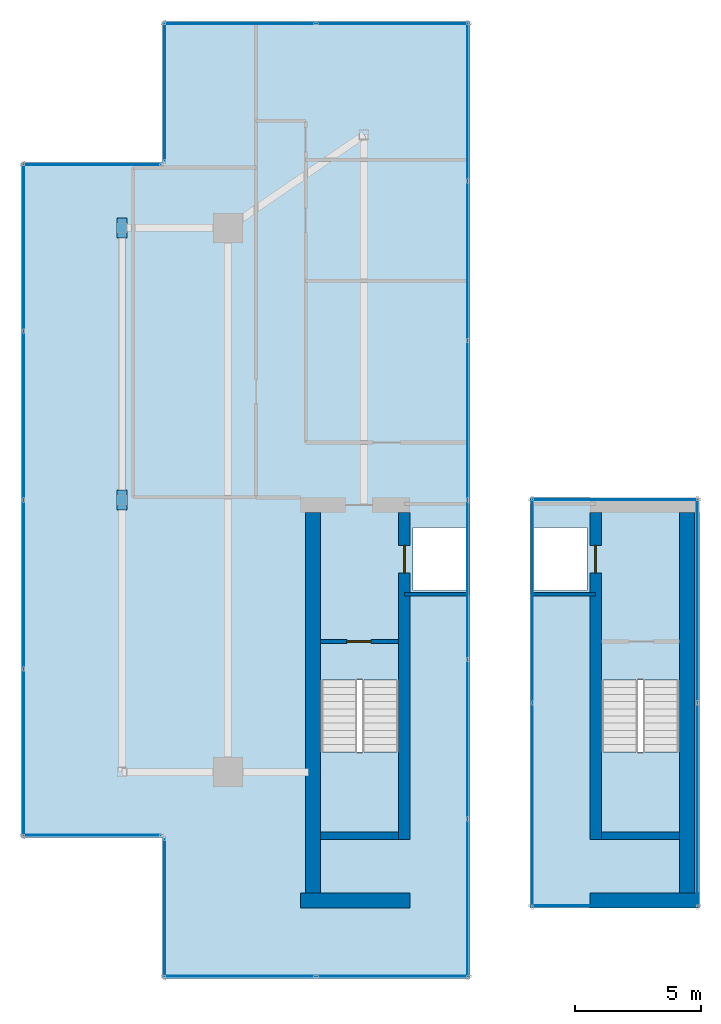
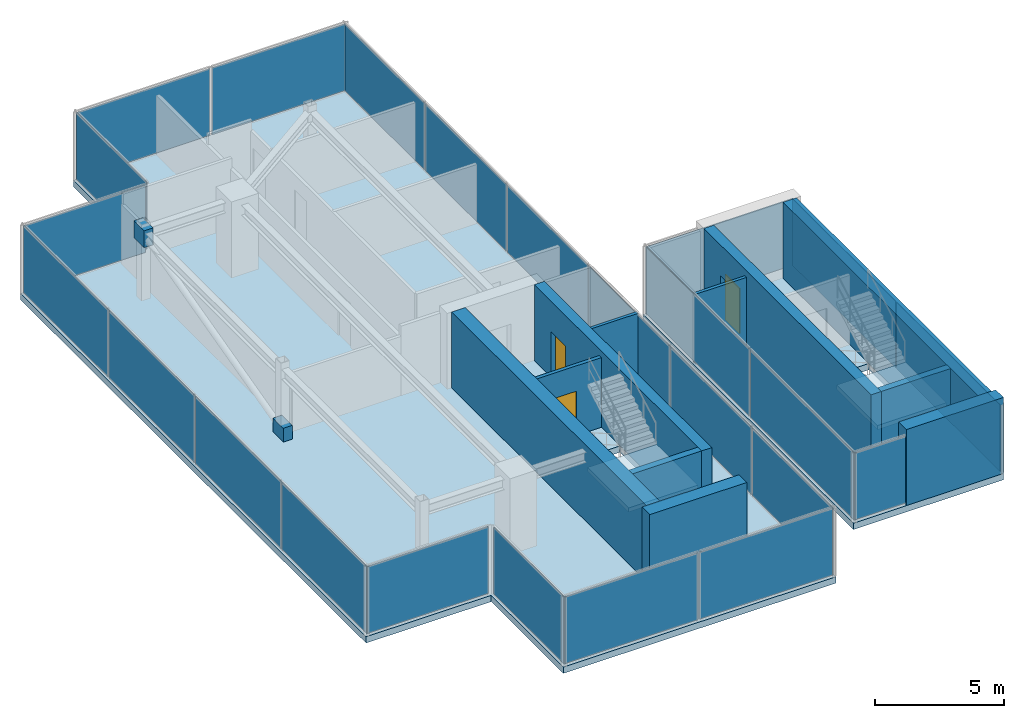
# One storey, part 14 of 16: 26 plates, 11 walls, 4 slabs, 3 doors, 3 openings, 14 elements without a shape of their own.
"""IFC4 building model written with IfcOpenShell, lengths in metres."""

from ifc_helpers import new_model, si_unit, direction, frame, frame_2d, origin, origin_2d, place, context, subcontext, project, spatial, polyline, rectangle, outline, extrude, source, transform, mapped, material, layer, layer_set, type_object, type_shapes, element, fill, aggregate, save


model = new_model("IFC4")

# Units and contexts
model_context = context("Model", 3, precision=1e-05, world=origin(), true_north=direction((0.0, 1.0)))
body_context = subcontext(model_context, "Body", "Model", "MODEL_VIEW")
ifc_project = project(units=[si_unit("LENGTHUNIT", "METRE"), si_unit("AREAUNIT", "SQUARE_METRE"), si_unit("VOLUMEUNIT", "CUBIC_METRE"), si_unit("PLANEANGLEUNIT", "RADIAN"), si_unit("MASSUNIT", "GRAM", prefix="KILO")], contexts=[model_context])

# Site, building, storey
site_placement = place(None, origin())
site = spatial("IfcSite", under=ifc_project, at=site_placement, CompositionType="ELEMENT")
building_placement = place(site_placement, origin())
building = spatial("IfcBuilding", under=site, at=building_placement, Name="Krantzveldt Concourse Tower", CompositionType="ELEMENT")
storey_placement = place(building_placement, frame((0.0, 0.0, 381.85009765625)))
storey = spatial("IfcBuildingStorey", under=building, at=storey_placement, Name="L94", CompositionType="ELEMENT", Elevation=381.85009765625)

# Stair, slab
ifc_material_1 = material(Name="Precast concrete C40/50", Category="concrete")
stair_type = type_object("IfcStairType", Name="STR-CORE-DOGLEG", PredefinedType="HALF_TURN_STAIR", material=ifc_material_1)
stair_1_placement = place(storey_placement, origin())
stair_1 = element("IfcStair", 1, at=stair_1_placement, inside=storey, type_object=stair_type, Name="L94 Protected Escape Stair ST-1", PredefinedType="HALF_TURN_STAIR")
ifc_layer_1 = layer(ifc_material_1, 0.199951171875, Name="Precast concrete C40/50", Category="concrete")
ifc_layer_set_1 = layer_set([ifc_layer_1], Name="Precast concrete C40/50 (SL-LANDING-200)")
slab_type_1 = type_object("IfcSlabType", Name="SL-LANDING-200", PredefinedType="LANDING", material=ifc_layer_set_1)
slab_1_placement = place(storey_placement, frame((0.0, 0.0, 1.599853515625)))
slab_1 = element("IfcSlab", 2, at=slab_1_placement, type_object=slab_type_1, Name="ST-1 landing 1", PredefinedType="LANDING", context=body_context, shape_type="SweptSolid", body=[
    extrude(outline(polyline([(28.8798828125, 16.699951171875), (28.8798828125, 13.52001953125), (31.97998046875, 13.52001953125), (31.97998046875, 16.699951171875), (28.8798828125, 16.699951171875)])), origin(), (0.0, 0.0, 1.0), 0.199951171875),
])
aggregate(stair_1, [slab_1])

stair_2_placement = place(storey_placement, origin())
stair_2 = element("IfcStair", 3, at=stair_2_placement, inside=storey, type_object=stair_type, Name="L94 Protected Escape Stair ST-2", PredefinedType="HALF_TURN_STAIR")
slab_2_placement = place(storey_placement, frame((0.0, 0.0, 1.599853515625)))
slab_2 = element("IfcSlab", 4, at=slab_2_placement, type_object=slab_type_1, Name="ST-2 landing 1", PredefinedType="LANDING", context=body_context, shape_type="SweptSolid", body=[
    extrude(outline(polyline([(40.02001953125, 16.699951171875), (40.02001953125, 13.52001953125), (43.1201171875, 13.52001953125), (43.1201171875, 16.699951171875), (40.02001953125, 16.699951171875)])), origin(), (0.0, 0.0, 1.0), 0.199951171875),
])
aggregate(stair_2, [slab_2])

# Slabs
ifc_material_2 = material(Name="Concrete C40/50", Category="concrete")
ifc_layer_2 = layer(ifc_material_2, 0.300048828125, Name="Concrete C40/50", Category="concrete")
ifc_layer_set_2 = layer_set([ifc_layer_2], Name="Concrete C40/50 (SL-SL-CRN300)")
slab_type_2 = type_object("IfcSlabType", Name="SL-SL-CRN300", PredefinedType="FLOOR", material=ifc_layer_set_2)
slab_3_placement = place(storey_placement, frame((0.0, 0.0, -0.300048828125)))
element("IfcSlab", 5, at=slab_3_placement, inside=storey, type_object=slab_type_2, Name="SL-L94-WEST", PredefinedType="FLOOR", context=body_context, shape_type="SweptSolid", body=[
    extrude(outline(polyline([(22.60009765625, 7.699951171875), (34.800048828125, 7.699951171875), (34.800048828125, 45.699951171875), (22.60009765625, 45.699951171875), (22.60009765625, 40.10009765625), (17.0, 40.10009765625), (17.0, 13.300048828125), (22.60009765625, 13.300048828125), (22.60009765625, 7.699951171875)]), holes=[polyline([(28.8798828125, 19.547607421875), (28.8798828125, 13.52001953125), (31.97998046875, 13.52001953125), (31.97998046875, 19.547607421875), (28.8798828125, 19.547607421875)]), polyline([(32.550048828125, 23.10009765625), (34.64990234375, 23.10009765625), (34.64990234375, 25.60009765625), (32.550048828125, 25.60009765625), (32.550048828125, 23.10009765625)])]), origin(), (0.0, 0.0, 1.0), 0.300048828125),
])
slab_4_placement = place(storey_placement, frame((0.0, 0.0, -0.300048828125)))
element("IfcSlab", 6, at=slab_4_placement, inside=storey, type_object=slab_type_2, Name="SL-L94-EAST", PredefinedType="FLOOR", context=body_context, shape_type="SweptSolid", body=[
    extrude(outline(polyline([(37.199951171875, 10.5), (43.919921875, 10.5), (43.919921875, 26.800048828125), (37.199951171875, 26.800048828125), (37.199951171875, 10.5)]), holes=[polyline([(40.02001953125, 19.547607421875), (40.02001953125, 13.52001953125), (43.1201171875, 13.52001953125), (43.1201171875, 19.547607421875), (40.02001953125, 19.547607421875)]), polyline([(37.35009765625, 23.10009765625), (39.449951171875, 23.10009765625), (39.449951171875, 25.60009765625), (37.35009765625, 25.60009765625), (37.35009765625, 23.10009765625)])]), origin(), (0.0, 0.0, 1.0), 0.300048828125),
])

# Plates
ifc_material_3 = material(Name="Steel S355J2", Category="steel")
ifc_layer_3 = layer(ifc_material_3, 0.0400390625, Name="Steel S355J2", Category="steel")
ifc_layer_set_3 = layer_set([ifc_layer_3], Name="Steel S355J2 (PL-GUSSET-40)")
plate_type_1 = type_object("IfcPlateType", Name="PL-GUSSET-40", PredefinedType="USERDEFINED", material=ifc_layer_set_3)
shared_shape_1 = source(origin(), body_context, "Body", "SweptSolid", [
    extrude(rectangle(XDim=0.39990234375, YDim=0.800048828125, at=origin_2d()), origin(), (0.0, 0.0, 1.0), 0.800048828125),
])
type_shapes(plate_type_1, [shared_shape_1])
for number, where, z_axis, x_axis, name in (
    (7, (21.0, 26.699951171875, -0.14990234375), (0.0, 0.0, 1.0), (1.0, 0.0, 0.0), "CBR-L94-WEST-GP1"),
    (8, (21.0, 37.5, 2.64990234375), (0.0, 0.0, 1.0), (1.0, 0.0, 0.0), "CBR-L94-WEST-GP2"),
):
    element("IfcPlate", number, at=place(storey_placement, frame(where, z_axis=z_axis, x_axis=x_axis)), inside=storey, type_object=plate_type_1, Name=name, ObjectType="GUSSET PLATE", PredefinedType="USERDEFINED", context=body_context, shape_type="MappedRepresentation", body=[
        mapped(shared_shape_1, transform((0.0, 0.0, 0.0), x_axis=(1.0, 0.0, 0.0), y_axis=(0.0, 1.0, 0.0), z_axis=(0.0, 0.0, 1.0), scale=1.0)),
    ])

# Curtain wall, plates
ifc_material_4 = material(Name="Anodised aluminium 6063-T6", Category="aluminium")
curtain_wall_type = type_object("IfcCurtainWallType", Name="CW7", PredefinedType="USERDEFINED", material=ifc_material_4)
curtain_wall_1_placement = place(storey_placement, origin())
curtain_wall_1 = element("IfcCurtainWall", 9, at=curtain_wall_1_placement, inside=storey, type_object=curtain_wall_type, Name="CW-L94-WEST-00", ObjectType="UNITISED CURTAIN WALL", PredefinedType="USERDEFINED")
ifc_material_5 = material(Name="Bronze-tinted laminated low-E IGU glass", Category="glass")
ifc_layer_4 = layer(ifc_material_5, 0.031982421875, Name="Bronze-tinted laminated low-E IGU glass", Category="glass")
ifc_layer_set_4 = layer_set([ifc_layer_4], Name="Bronze-tinted laminated low-E IGU glass (CW-GLZ-32)")
plate_type_2 = type_object("IfcPlateType", Name="CW-GLZ-32", PredefinedType="CURTAIN_PANEL", material=ifc_layer_set_4)
shared_shape_2 = source(origin(), body_context, "Body", "SweptSolid", [
    extrude(rectangle(XDim=5.9951171875, YDim=0.031982421875, at=origin_2d()), origin(), (0.0, 0.0, 1.0), 3.159912109375),
])
plate_1_placement = place(storey_placement, frame((25.66748046875, 7.7900390625, 0.06982421875), z_axis=(0.0, 0.0, 1.0), x_axis=(1.0, 0.0, 0.0)))
plate_1 = element("IfcPlate", 10, at=plate_1_placement, type_object=plate_type_2, Name="CW-CRN panel 1.1", PredefinedType="CURTAIN_PANEL", context=body_context, shape_type="MappedRepresentation", body=[
    mapped(shared_shape_2, transform((0.0, 0.0, 0.0), x_axis=(1.0, 0.0, 0.0), y_axis=(0.0, 1.0, 0.0), z_axis=(0.0, 0.0, 1.0), scale=1.0)),
])
plate_2_placement = place(storey_placement, frame((31.732421875, 7.7900390625, 0.06982421875), z_axis=(0.0, 0.0, 1.0), x_axis=(1.0, 0.0, 0.0)))
plate_2 = element("IfcPlate", 11, at=plate_2_placement, type_object=plate_type_2, Name="CW-CRN panel 2.1", PredefinedType="CURTAIN_PANEL", context=body_context, shape_type="MappedRepresentation", body=[
    mapped(shared_shape_2, transform((0.0, 0.0, 0.0), x_axis=(1.0, 0.0, 0.0), y_axis=(0.0, 1.0, 0.0), z_axis=(0.0, 0.0, 1.0), scale=1.0)),
])
aggregate(curtain_wall_1, [plate_1, plate_2])

curtain_wall_2_placement = place(storey_placement, origin())
curtain_wall_2 = element("IfcCurtainWall", 12, at=curtain_wall_2_placement, inside=storey, type_object=curtain_wall_type, Name="CW-L94-WEST-02", ObjectType="UNITISED CURTAIN WALL", PredefinedType="USERDEFINED")
plate_3_placement = place(storey_placement, frame((31.732421875, 45.610107421875, 0.06982421875), z_axis=(0.0, 0.0, 1.0), x_axis=(-1.0, 0.0, 0.0)))
plate_3 = element("IfcPlate", 13, at=plate_3_placement, type_object=plate_type_2, Name="CW-CRN panel 1.1", PredefinedType="CURTAIN_PANEL", context=body_context, shape_type="MappedRepresentation", body=[
    mapped(shared_shape_2, transform((0.0, 0.0, 0.0), x_axis=(1.0, 0.0, 0.0), y_axis=(0.0, 1.0, 0.0), z_axis=(0.0, 0.0, 1.0), scale=1.0)),
])
plate_4_placement = place(storey_placement, frame((25.66748046875, 45.610107421875, 0.06982421875), z_axis=(0.0, 0.0, 1.0), x_axis=(-1.0, 0.0, 0.0)))
plate_4 = element("IfcPlate", 14, at=plate_4_placement, type_object=plate_type_2, Name="CW-CRN panel 2.1", PredefinedType="CURTAIN_PANEL", context=body_context, shape_type="MappedRepresentation", body=[
    mapped(shared_shape_2, transform((0.0, 0.0, 0.0), x_axis=(1.0, 0.0, 0.0), y_axis=(0.0, 1.0, 0.0), z_axis=(0.0, 0.0, 1.0), scale=1.0)),
])
aggregate(curtain_wall_2, [plate_3, plate_4])

curtain_wall_3_placement = place(storey_placement, origin())
curtain_wall_3 = element("IfcCurtainWall", 15, at=curtain_wall_3_placement, inside=storey, type_object=curtain_wall_type, Name="CW-L94-WEST-01", ObjectType="UNITISED CURTAIN WALL", PredefinedType="USERDEFINED")
shared_shape_3 = source(origin(), body_context, "Body", "SweptSolid", [
    extrude(rectangle(XDim=6.228271484375, YDim=0.031982421875, at=origin_2d()), origin(), (0.0, 0.0, 1.0), 3.159912109375),
])
plate_5_placement = place(storey_placement, frame((34.7099609375, 10.88427734375, 0.06982421875), z_axis=(0.0, 0.0, 1.0), x_axis=(0.0, 1.0, 0.0)))
plate_5 = element("IfcPlate", 16, at=plate_5_placement, type_object=plate_type_2, Name="CW-CRN panel 1.1", PredefinedType="CURTAIN_PANEL", context=body_context, shape_type="MappedRepresentation", body=[
    mapped(shared_shape_3, transform((0.0, 0.0, 0.0), x_axis=(1.0, 0.0, 0.0), y_axis=(0.0, 1.0, 0.0), z_axis=(0.0, 0.0, 1.0), scale=1.0)),
])
plate_6_placement = place(storey_placement, frame((34.7099609375, 42.515869140625, 0.06982421875), z_axis=(0.0, 0.0, 1.0), x_axis=(0.0, 1.0, 0.0)))
plate_6 = element("IfcPlate", 17, at=plate_6_placement, type_object=plate_type_2, Name="CW-CRN panel 6.1", PredefinedType="CURTAIN_PANEL", context=body_context, shape_type="MappedRepresentation", body=[
    mapped(shared_shape_3, transform((0.0, 0.0, 0.0), x_axis=(1.0, 0.0, 0.0), y_axis=(0.0, 1.0, 0.0), z_axis=(0.0, 0.0, 1.0), scale=1.0)),
])
shared_shape_4 = source(origin(), body_context, "Body", "SweptSolid", [
    extrude(rectangle(XDim=6.263427734375, YDim=0.031982421875, at=origin_2d()), origin(), (0.0, 0.0, 1.0), 3.159912109375),
])
plate_7_placement = place(storey_placement, frame((34.7099609375, 17.199951171875, 0.06982421875), z_axis=(0.0, 0.0, 1.0), x_axis=(0.0, 1.0, 0.0)))
plate_7 = element("IfcPlate", 18, at=plate_7_placement, type_object=plate_type_2, Name="CW-CRN panel 2.1", PredefinedType="CURTAIN_PANEL", context=body_context, shape_type="MappedRepresentation", body=[
    mapped(shared_shape_4, transform((0.0, 0.0, 0.0), x_axis=(1.0, 0.0, 0.0), y_axis=(0.0, 1.0, 0.0), z_axis=(0.0, 0.0, 1.0), scale=1.0)),
])
plate_8_placement = place(storey_placement, frame((34.7099609375, 23.533447265625, 0.06982421875), z_axis=(0.0, 0.0, 1.0), x_axis=(0.0, 1.0, 0.0)))
plate_8 = element("IfcPlate", 19, at=plate_8_placement, type_object=plate_type_2, Name="CW-CRN panel 3.1", PredefinedType="CURTAIN_PANEL", context=body_context, shape_type="MappedRepresentation", body=[
    mapped(shared_shape_4, transform((0.0, 0.0, 0.0), x_axis=(1.0, 0.0, 0.0), y_axis=(0.0, 1.0, 0.0), z_axis=(0.0, 0.0, 1.0), scale=1.0)),
])
plate_9_placement = place(storey_placement, frame((34.7099609375, 29.86669921875, 0.06982421875), z_axis=(0.0, 0.0, 1.0), x_axis=(0.0, 1.0, 0.0)))
plate_9 = element("IfcPlate", 20, at=plate_9_placement, type_object=plate_type_2, Name="CW-CRN panel 4.1", PredefinedType="CURTAIN_PANEL", context=body_context, shape_type="MappedRepresentation", body=[
    mapped(shared_shape_4, transform((0.0, 0.0, 0.0), x_axis=(1.0, 0.0, 0.0), y_axis=(0.0, 1.0, 0.0), z_axis=(0.0, 0.0, 1.0), scale=1.0)),
])
plate_10_placement = place(storey_placement, frame((34.7099609375, 36.199951171875, 0.06982421875), z_axis=(0.0, 0.0, 1.0), x_axis=(0.0, 1.0, 0.0)))
plate_10 = element("IfcPlate", 21, at=plate_10_placement, type_object=plate_type_2, Name="CW-CRN panel 5.1", PredefinedType="CURTAIN_PANEL", context=body_context, shape_type="MappedRepresentation", body=[
    mapped(shared_shape_4, transform((0.0, 0.0, 0.0), x_axis=(1.0, 0.0, 0.0), y_axis=(0.0, 1.0, 0.0), z_axis=(0.0, 0.0, 1.0), scale=1.0)),
])
aggregate(curtain_wall_3, [plate_5, plate_7, plate_8, plate_9, plate_10, plate_6])

# Curtain wall, plate
curtain_wall_4_placement = place(storey_placement, origin())
curtain_wall_4 = element("IfcCurtainWall", 22, at=curtain_wall_4_placement, inside=storey, type_object=curtain_wall_type, Name="CW-L94-WEST-03", ObjectType="UNITISED CURTAIN WALL", PredefinedType="USERDEFINED")
shared_shape_5 = source(origin(), body_context, "Body", "SweptSolid", [
    extrude(rectangle(XDim=5.4599609375, YDim=0.031982421875, at=origin_2d()), origin(), (0.0, 0.0, 1.0), 3.159912109375),
])
plate_11_placement = place(storey_placement, frame((22.68994140625, 42.89990234375, 0.06982421875), z_axis=(0.0, 0.0, 1.0), x_axis=(0.0, -1.0, 0.0)))
plate_11 = element("IfcPlate", 23, at=plate_11_placement, type_object=plate_type_2, Name="CW-CRN panel 1.1", PredefinedType="CURTAIN_PANEL", context=body_context, shape_type="MappedRepresentation", body=[
    mapped(shared_shape_5, transform((0.0, 0.0, 0.0), x_axis=(1.0, 0.0, 0.0), y_axis=(0.0, 1.0, 0.0), z_axis=(0.0, 0.0, 1.0), scale=1.0)),
])
aggregate(curtain_wall_4, [plate_11])

curtain_wall_5_placement = place(storey_placement, origin())
curtain_wall_5 = element("IfcCurtainWall", 24, at=curtain_wall_5_placement, inside=storey, type_object=curtain_wall_type, Name="CW-L94-WEST-04", ObjectType="UNITISED CURTAIN WALL", PredefinedType="USERDEFINED")
plate_12_placement = place(storey_placement, frame((19.800048828125, 40.010009765625, 0.06982421875), z_axis=(0.0, 0.0, 1.0), x_axis=(-1.0, 0.0, 0.0)))
plate_12 = element("IfcPlate", 25, at=plate_12_placement, type_object=plate_type_2, Name="CW-CRN panel 1.1", PredefinedType="CURTAIN_PANEL", context=body_context, shape_type="MappedRepresentation", body=[
    mapped(shared_shape_5, transform((0.0, 0.0, 0.0), x_axis=(1.0, 0.0, 0.0), y_axis=(0.0, 1.0, 0.0), z_axis=(0.0, 0.0, 1.0), scale=1.0)),
])
aggregate(curtain_wall_5, [plate_12])

curtain_wall_6_placement = place(storey_placement, origin())
curtain_wall_6 = element("IfcCurtainWall", 26, at=curtain_wall_6_placement, inside=storey, type_object=curtain_wall_type, Name="CW-L94-WEST-06", ObjectType="UNITISED CURTAIN WALL", PredefinedType="USERDEFINED")
plate_13_placement = place(storey_placement, frame((19.800048828125, 13.389892578125, 0.06982421875), z_axis=(0.0, 0.0, 1.0), x_axis=(1.0, 0.0, 0.0)))
plate_13 = element("IfcPlate", 27, at=plate_13_placement, type_object=plate_type_2, Name="CW-CRN panel 1.1", PredefinedType="CURTAIN_PANEL", context=body_context, shape_type="MappedRepresentation", body=[
    mapped(shared_shape_5, transform((0.0, 0.0, 0.0), x_axis=(1.0, 0.0, 0.0), y_axis=(0.0, 1.0, 0.0), z_axis=(0.0, 0.0, 1.0), scale=1.0)),
])
aggregate(curtain_wall_6, [plate_13])

curtain_wall_7_placement = place(storey_placement, origin())
curtain_wall_7 = element("IfcCurtainWall", 28, at=curtain_wall_7_placement, inside=storey, type_object=curtain_wall_type, Name="CW-L94-WEST-07", ObjectType="UNITISED CURTAIN WALL", PredefinedType="USERDEFINED")
plate_14_placement = place(storey_placement, frame((22.68994140625, 10.5, 0.06982421875), z_axis=(0.0, 0.0, 1.0), x_axis=(0.0, -1.0, 0.0)))
plate_14 = element("IfcPlate", 29, at=plate_14_placement, type_object=plate_type_2, Name="CW-CRN panel 1.1", PredefinedType="CURTAIN_PANEL", context=body_context, shape_type="MappedRepresentation", body=[
    mapped(shared_shape_5, transform((0.0, 0.0, 0.0), x_axis=(1.0, 0.0, 0.0), y_axis=(0.0, 1.0, 0.0), z_axis=(0.0, 0.0, 1.0), scale=1.0)),
])
aggregate(curtain_wall_7, [plate_14])

# Curtain wall, plates
curtain_wall_8_placement = place(storey_placement, origin())
curtain_wall_8 = element("IfcCurtainWall", 30, at=curtain_wall_8_placement, inside=storey, type_object=curtain_wall_type, Name="CW-L94-WEST-05", ObjectType="UNITISED CURTAIN WALL", PredefinedType="USERDEFINED")
shared_shape_6 = source(origin(), body_context, "Body", "SweptSolid", [
    extrude(rectangle(XDim=6.594970703125, YDim=0.031982421875, at=origin_2d()), origin(), (0.0, 0.0, 1.0), 3.159912109375),
])
plate_15_placement = place(storey_placement, frame((17.090087890625, 36.732421875, 0.06982421875), z_axis=(0.0, 0.0, 1.0), x_axis=(0.0, -1.0, 0.0)))
plate_15 = element("IfcPlate", 31, at=plate_15_placement, type_object=plate_type_2, Name="CW-CRN panel 1.1", PredefinedType="CURTAIN_PANEL", context=body_context, shape_type="MappedRepresentation", body=[
    mapped(shared_shape_6, transform((0.0, 0.0, 0.0), x_axis=(1.0, 0.0, 0.0), y_axis=(0.0, 1.0, 0.0), z_axis=(0.0, 0.0, 1.0), scale=1.0)),
])
plate_16_placement = place(storey_placement, frame((17.090087890625, 16.66748046875, 0.06982421875), z_axis=(0.0, 0.0, 1.0), x_axis=(0.0, -1.0, 0.0)))
plate_16 = element("IfcPlate", 32, at=plate_16_placement, type_object=plate_type_2, Name="CW-CRN panel 4.1", PredefinedType="CURTAIN_PANEL", context=body_context, shape_type="MappedRepresentation", body=[
    mapped(shared_shape_6, transform((0.0, 0.0, 0.0), x_axis=(1.0, 0.0, 0.0), y_axis=(0.0, 1.0, 0.0), z_axis=(0.0, 0.0, 1.0), scale=1.0)),
])
shared_shape_7 = source(origin(), body_context, "Body", "SweptSolid", [
    extrude(rectangle(XDim=6.6298828125, YDim=0.031982421875, at=origin_2d()), origin(), (0.0, 0.0, 1.0), 3.159912109375),
])
plate_17_placement = place(storey_placement, frame((17.090087890625, 30.050048828125, 0.06982421875), z_axis=(0.0, 0.0, 1.0), x_axis=(0.0, -1.0, 0.0)))
plate_17 = element("IfcPlate", 33, at=plate_17_placement, type_object=plate_type_2, Name="CW-CRN panel 2.1", PredefinedType="CURTAIN_PANEL", context=body_context, shape_type="MappedRepresentation", body=[
    mapped(shared_shape_7, transform((0.0, 0.0, 0.0), x_axis=(1.0, 0.0, 0.0), y_axis=(0.0, 1.0, 0.0), z_axis=(0.0, 0.0, 1.0), scale=1.0)),
])
plate_18_placement = place(storey_placement, frame((17.090087890625, 23.35009765625, 0.06982421875), z_axis=(0.0, 0.0, 1.0), x_axis=(0.0, -1.0, 0.0)))
plate_18 = element("IfcPlate", 34, at=plate_18_placement, type_object=plate_type_2, Name="CW-CRN panel 3.1", PredefinedType="CURTAIN_PANEL", context=body_context, shape_type="MappedRepresentation", body=[
    mapped(shared_shape_7, transform((0.0, 0.0, 0.0), x_axis=(1.0, 0.0, 0.0), y_axis=(0.0, 1.0, 0.0), z_axis=(0.0, 0.0, 1.0), scale=1.0)),
])
aggregate(curtain_wall_8, [plate_15, plate_17, plate_18, plate_16])

# Curtain wall, plate
curtain_wall_9_placement = place(storey_placement, origin())
curtain_wall_9 = element("IfcCurtainWall", 35, at=curtain_wall_9_placement, inside=storey, type_object=curtain_wall_type, Name="CW-L94-EAST-00", ObjectType="UNITISED CURTAIN WALL", PredefinedType="USERDEFINED")
shared_shape_8 = source(origin(), body_context, "Body", "SweptSolid", [
    extrude(rectangle(XDim=6.580078125, YDim=0.031982421875, at=origin_2d()), origin(), (0.0, 0.0, 1.0), 3.159912109375),
])
plate_19_placement = place(storey_placement, frame((40.56005859375, 10.590087890625, 0.06982421875), z_axis=(0.0, 0.0, 1.0), x_axis=(1.0, 0.0, 0.0)))
plate_19 = element("IfcPlate", 36, at=plate_19_placement, type_object=plate_type_2, Name="CW-CRN panel 1.1", PredefinedType="CURTAIN_PANEL", context=body_context, shape_type="MappedRepresentation", body=[
    mapped(shared_shape_8, transform((0.0, 0.0, 0.0), x_axis=(1.0, 0.0, 0.0), y_axis=(0.0, 1.0, 0.0), z_axis=(0.0, 0.0, 1.0), scale=1.0)),
])
aggregate(curtain_wall_9, [plate_19])

curtain_wall_10_placement = place(storey_placement, origin())
curtain_wall_10 = element("IfcCurtainWall", 37, at=curtain_wall_10_placement, inside=storey, type_object=curtain_wall_type, Name="CW-L94-EAST-02", ObjectType="UNITISED CURTAIN WALL", PredefinedType="USERDEFINED")
plate_20_placement = place(storey_placement, frame((40.56005859375, 26.7099609375, 0.06982421875), z_axis=(0.0, 0.0, 1.0), x_axis=(-1.0, 0.0, 0.0)))
plate_20 = element("IfcPlate", 38, at=plate_20_placement, type_object=plate_type_2, Name="CW-CRN panel 1.1", PredefinedType="CURTAIN_PANEL", context=body_context, shape_type="MappedRepresentation", body=[
    mapped(shared_shape_8, transform((0.0, 0.0, 0.0), x_axis=(1.0, 0.0, 0.0), y_axis=(0.0, 1.0, 0.0), z_axis=(0.0, 0.0, 1.0), scale=1.0)),
])
aggregate(curtain_wall_10, [plate_20])

# Curtain wall, plates
curtain_wall_11_placement = place(storey_placement, origin())
curtain_wall_11 = element("IfcCurtainWall", 39, at=curtain_wall_11_placement, inside=storey, type_object=curtain_wall_type, Name="CW-L94-EAST-01", ObjectType="UNITISED CURTAIN WALL", PredefinedType="USERDEFINED")
shared_shape_9 = source(origin(), body_context, "Body", "SweptSolid", [
    extrude(rectangle(XDim=8.044921875, YDim=0.031982421875, at=origin_2d()), origin(), (0.0, 0.0, 1.0), 3.159912109375),
])
type_shapes(plate_type_2, [shared_shape_2, shared_shape_3, shared_shape_4, shared_shape_5, shared_shape_6, shared_shape_7, shared_shape_8, shared_shape_9])
plate_21_placement = place(storey_placement, frame((43.830078125, 14.592529296875, 0.06982421875), z_axis=(0.0, 0.0, 1.0), x_axis=(0.0, 1.0, 0.0)))
plate_21 = element("IfcPlate", 40, at=plate_21_placement, type_object=plate_type_2, Name="CW-CRN panel 1.1", PredefinedType="CURTAIN_PANEL", context=body_context, shape_type="MappedRepresentation", body=[
    mapped(shared_shape_9, transform((0.0, 0.0, 0.0), x_axis=(1.0, 0.0, 0.0), y_axis=(0.0, 1.0, 0.0), z_axis=(0.0, 0.0, 1.0), scale=1.0)),
])
plate_22_placement = place(storey_placement, frame((43.830078125, 22.70751953125, 0.06982421875), z_axis=(0.0, 0.0, 1.0), x_axis=(0.0, 1.0, 0.0)))
plate_22 = element("IfcPlate", 41, at=plate_22_placement, type_object=plate_type_2, Name="CW-CRN panel 2.1", PredefinedType="CURTAIN_PANEL", context=body_context, shape_type="MappedRepresentation", body=[
    mapped(shared_shape_9, transform((0.0, 0.0, 0.0), x_axis=(1.0, 0.0, 0.0), y_axis=(0.0, 1.0, 0.0), z_axis=(0.0, 0.0, 1.0), scale=1.0)),
])
aggregate(curtain_wall_11, [plate_21, plate_22])

curtain_wall_12_placement = place(storey_placement, origin())
curtain_wall_12 = element("IfcCurtainWall", 42, at=curtain_wall_12_placement, inside=storey, type_object=curtain_wall_type, Name="CW-L94-EAST-03", ObjectType="UNITISED CURTAIN WALL", PredefinedType="USERDEFINED")
plate_23_placement = place(storey_placement, frame((37.2900390625, 22.70751953125, 0.06982421875), z_axis=(0.0, 0.0, 1.0), x_axis=(0.0, -1.0, 0.0)))
plate_23 = element("IfcPlate", 43, at=plate_23_placement, type_object=plate_type_2, Name="CW-CRN panel 1.1", PredefinedType="CURTAIN_PANEL", context=body_context, shape_type="MappedRepresentation", body=[
    mapped(shared_shape_9, transform((0.0, 0.0, 0.0), x_axis=(1.0, 0.0, 0.0), y_axis=(0.0, 1.0, 0.0), z_axis=(0.0, 0.0, 1.0), scale=1.0)),
])
plate_24_placement = place(storey_placement, frame((37.2900390625, 14.592529296875, 0.06982421875), z_axis=(0.0, 0.0, 1.0), x_axis=(0.0, -1.0, 0.0)))
plate_24 = element("IfcPlate", 44, at=plate_24_placement, type_object=plate_type_2, Name="CW-CRN panel 2.1", PredefinedType="CURTAIN_PANEL", context=body_context, shape_type="MappedRepresentation", body=[
    mapped(shared_shape_9, transform((0.0, 0.0, 0.0), x_axis=(1.0, 0.0, 0.0), y_axis=(0.0, 1.0, 0.0), z_axis=(0.0, 0.0, 1.0), scale=1.0)),
])
aggregate(curtain_wall_12, [plate_23, plate_24])

# Walls
ifc_material_6 = material(Name="Fire-rated gypsum plasterboard on steel stud", Category="steel")
ifc_layer_5 = layer(ifc_material_6, 0.139892578125, Name="Fire-rated gypsum plasterboard on steel stud", Category="steel")
ifc_layer_set_5 = layer_set([ifc_layer_5], Name="Fire-rated gypsum plasterboard on steel stud (WL-PART-FR140)")
wall_type_1 = type_object("IfcWallType", Name="WL-PART-FR140", PredefinedType="PARTITIONING", material=ifc_layer_set_5)
for number, where, z_axis, x_axis, name in (
    (45, (32.2099609375, 22.949951171875, 0.0), (0.0, 0.0, 1.0), (1.0, 0.0, 0.0), "WP-L94-FL1S"),
    (46, (37.280029296875, 22.949951171875, 0.0), (0.0, 0.0, 1.0), (1.0, 0.0, 0.0), "WP-L94-FL2S"),
):
    element("IfcWall", number, at=place(storey_placement, frame(where, z_axis=z_axis, x_axis=x_axis)), inside=storey, type_object=wall_type_1, Name=name, PredefinedType="PARTITIONING", context=body_context, shape_type="SweptSolid", body=[
        extrude(rectangle(XDim=2.510009765625, YDim=0.139892578125, at=frame_2d((1.2548828125, 0.0))), origin(), (0.0, 0.0, 1.0), 3.2998046875),
    ])

# Wall, opening, door
ifc_layer_6 = layer(ifc_material_6, 0.159912109375, Name="Fire-rated gypsum plasterboard on steel stud", Category="steel")
ifc_layer_set_6 = layer_set([ifc_layer_6], Name="Fire-rated gypsum plasterboard on steel stud (WL-PART-FR160)")
wall_type_2 = type_object("IfcWallType", Name="WL-PART-FR160", PredefinedType="PARTITIONING", material=ifc_layer_set_6)
wall_1_placement = place(storey_placement, frame((28.8798828125, 21.080078125, 0.0), z_axis=(0.0, 0.0, 1.0), x_axis=(1.0, 0.0, 0.0)))
wall_1 = element("IfcWall", 47, at=wall_1_placement, inside=storey, type_object=wall_type_2, Name="WP-L94-ST1", PredefinedType="PARTITIONING", context=body_context, shape_type="SweptSolid", body=[
    extrude(rectangle(XDim=3.10009765625, YDim=0.159912109375, at=frame_2d((1.550048828125, 0.0))), origin(), (0.0, 0.0, 1.0), 3.2998046875),
])
opening_1_placement = place(wall_1_placement, frame((1.044921875, 0.0, 0.0)))
opening_1 = element("IfcOpeningElement", 48, at=opening_1_placement, cuts=wall_1, Name="Opening D-FD095", PredefinedType="OPENING", context=body_context, shape_type="SweptSolid", body=[
    extrude(rectangle(XDim=0.949951171875, YDim=2.10009765625, at=frame_2d((0.47509765625, 1.050048828125))), frame((0.0, 0.08984375, 0.0), z_axis=(0.0, -1.0, 0.0), x_axis=(1.0, 0.0, 0.0)), (0.0, 0.0, 1.0), 0.179931640625),
])
ifc_material_7 = material(Name="Galvanised steel", Category="steel")
door_type_1 = type_object("IfcDoorType", Name="DR-FD120-950", OperationType="SINGLE_SWING_LEFT", PredefinedType="DOOR", material=ifc_material_7)
door_1_placement = place(opening_1_placement, origin())
door_1 = element("IfcDoor", 49, at=door_1_placement, inside=storey, type_object=door_type_1, Name="DR-L94-ST1", OperationType="SINGLE_SWING_RIGHT", OverallHeight=2.10009765625, OverallWidth=0.949951171875, PredefinedType="DOOR", context=body_context, shape_type="SweptSolid", body=[
    extrude(rectangle(XDim=0.949951171875, YDim=2.10009765625, at=frame_2d((0.47509765625, 1.050048828125))), frame((0.0, 0.02490234375, 0.0), z_axis=(0.0, -1.0, 0.0), x_axis=(1.0, 0.0, 0.0)), (0.0, 0.0, 1.0), 0.050048828125),
])
fill(opening_1, door_1)

# Walls
ifc_material_8 = material(Name="Concrete C50/60", Category="concrete")
ifc_layer_7 = layer(ifc_material_8, 0.300048828125, Name="Concrete C50/60", Category="concrete")
ifc_layer_set_7 = layer_set([ifc_layer_7], Name="Concrete C50/60 (WL-SHEAR-300)")
wall_type_3 = type_object("IfcWallType", Name="WL-SHEAR-300", PredefinedType="SHEAR", material=ifc_layer_set_7)
for number, where, z_axis, x_axis, name in (
    (50, (28.8798828125, 13.3701171875, 0.0), (0.0, 0.0, 1.0), (1.0, 0.0, 0.0), "CW-L94-ST1S"),
    (51, (40.02001953125, 13.3701171875, 0.0), (0.0, 0.0, 1.0), (1.0, 0.0, 0.0), "CW-L94-ST2S"),
):
    element("IfcWall", number, at=place(storey_placement, frame(where, z_axis=z_axis, x_axis=x_axis)), inside=storey, type_object=wall_type_3, Name=name, PredefinedType="SHEAR", context=body_context, shape_type="SweptSolid", body=[
        extrude(rectangle(XDim=3.10009765625, YDim=0.300048828125, at=frame_2d((1.550048828125, 0.0))), origin(), (0.0, 0.0, 1.0), 3.599853515625),
    ])

# Wall, opening, door
ifc_layer_8 = layer(ifc_material_8, 0.449951171875, Name="Concrete C50/60", Category="concrete")
ifc_layer_set_8 = layer_set([ifc_layer_8], Name="Concrete C50/60 (WL-SHEAR-450)")
wall_type_4 = type_object("IfcWallType", Name="WL-SHEAR-450", PredefinedType="SHEAR", material=ifc_layer_set_8)
wall_2_placement = place(storey_placement, frame((32.205078125, 13.219970703125, 0.0), z_axis=(0.0, 0.0, 1.0), x_axis=(0.0, 1.0, 0.0)))
wall_2 = element("IfcWall", 52, at=wall_2_placement, inside=storey, type_object=wall_type_4, Name="CW-L94-WC-E", PredefinedType="SHEAR", context=body_context, shape_type="SweptSolid", body=[
    extrude(rectangle(XDim=12.97998046875, YDim=0.449951171875, at=frame_2d((6.489990234375, 0.0))), origin(), (0.0, 0.0, 1.0), 3.599853515625),
])
opening_2_placement = place(wall_2_placement, frame((10.580078125, 0.0, 0.0)))
opening_2 = element("IfcOpeningElement", 53, at=opening_2_placement, cuts=wall_2, Name="Opening LD", PredefinedType="OPENING", context=body_context, shape_type="SweptSolid", body=[
    extrude(rectangle(XDim=1.10009765625, YDim=2.14990234375, at=frame_2d((0.550048828125, 1.074951171875))), frame((0.0, 0.23486328125, 0.0), z_axis=(0.0, -1.0, 0.0), x_axis=(1.0, 0.0, 0.0)), (0.0, 0.0, 1.0), 0.469970703125),
])
ifc_material_9 = material(Name="Stainless steel 316L", Category="steel")
door_type_2 = type_object("IfcDoorType", Name="DR-SLIDE-LD1100", OperationType="DOUBLE_DOOR_SLIDING", PredefinedType="DOOR", material=ifc_material_9)
door_2_placement = place(opening_2_placement, origin())
door_2 = element("IfcDoor", 54, at=door_2_placement, inside=storey, type_object=door_type_2, Name="LD-L94-FL1", OperationType="DOUBLE_DOOR_SLIDING", OverallHeight=2.14990234375, OverallWidth=1.10009765625, PredefinedType="DOOR", context=body_context, shape_type="SweptSolid", body=[
    extrude(rectangle(XDim=1.10009765625, YDim=2.14990234375, at=frame_2d((0.550048828125, 1.074951171875))), frame((0.0, 0.02490234375, 0.0), z_axis=(0.0, -1.0, 0.0), x_axis=(1.0, 0.0, 0.0)), (0.0, 0.0, 1.0), 0.050048828125),
])
fill(opening_2, door_2)

wall_3_placement = place(storey_placement, frame((39.794921875, 13.219970703125, 0.0), z_axis=(0.0, 0.0, 1.0), x_axis=(0.0, 1.0, 0.0)))
wall_3 = element("IfcWall", 55, at=wall_3_placement, inside=storey, type_object=wall_type_4, Name="CW-L94-EC-W", PredefinedType="SHEAR", context=body_context, shape_type="SweptSolid", body=[
    extrude(rectangle(XDim=12.97998046875, YDim=0.449951171875, at=frame_2d((6.489990234375, 0.0))), origin(), (0.0, 0.0, 1.0), 3.599853515625),
])
opening_3_placement = place(wall_3_placement, frame((10.580078125, 0.0, 0.0)))
opening_3 = element("IfcOpeningElement", 56, at=opening_3_placement, cuts=wall_3, Name="Opening LD", PredefinedType="OPENING", context=body_context, shape_type="SweptSolid", body=[
    extrude(rectangle(XDim=1.10009765625, YDim=2.14990234375, at=frame_2d((0.550048828125, 1.074951171875))), frame((0.0, 0.23486328125, 0.0), z_axis=(0.0, -1.0, 0.0), x_axis=(1.0, 0.0, 0.0)), (0.0, 0.0, 1.0), 0.469970703125),
])
door_3_placement = place(opening_3_placement, origin())
door_3 = element("IfcDoor", 57, at=door_3_placement, inside=storey, type_object=door_type_2, Name="LD-L94-FL2", OperationType="DOUBLE_DOOR_SLIDING", OverallHeight=2.14990234375, OverallWidth=1.10009765625, PredefinedType="DOOR", context=body_context, shape_type="SweptSolid", body=[
    extrude(rectangle(XDim=1.10009765625, YDim=2.14990234375, at=frame_2d((0.550048828125, 1.074951171875))), frame((0.0, 0.02490234375, 0.0), z_axis=(0.0, -1.0, 0.0), x_axis=(1.0, 0.0, 0.0)), (0.0, 0.0, 1.0), 0.050048828125),
])
fill(opening_3, door_3)

# Walls
ifc_layer_9 = layer(ifc_material_8, 0.60009765625, Name="Concrete C50/60", Category="concrete")
ifc_layer_set_9 = layer_set([ifc_layer_9], Name="Concrete C50/60 (WL-SHEAR-600)")
wall_type_5 = type_object("IfcWallType", Name="WL-SHEAR-600", PredefinedType="SHEAR", material=ifc_layer_set_9)
wall_4_placement = place(storey_placement, frame((28.080078125, 10.800048828125, 0.0), z_axis=(0.0, 0.0, 1.0), x_axis=(1.0, 0.0, 0.0)))
element("IfcWall", 58, at=wall_4_placement, inside=storey, type_object=wall_type_5, Name="CW-L94-WC-S", PredefinedType="SHEAR", context=body_context, shape_type="SweptSolid", body=[
    extrude(rectangle(XDim=4.349853515625, YDim=0.60009765625, at=frame_2d((2.1748046875, 0.0))), origin(), (0.0, 0.0, 1.0), 3.599853515625),
])
wall_5_placement = place(storey_placement, frame((28.580078125, 11.10009765625, 0.0), z_axis=(0.0, 0.0, 1.0), x_axis=(0.0, 1.0, 0.0)))
element("IfcWall", 59, at=wall_5_placement, inside=storey, type_object=wall_type_5, Name="CW-L94-WC-W", PredefinedType="SHEAR", context=body_context, shape_type="SweptSolid", body=[
    extrude(rectangle(XDim=15.099853515625, YDim=0.60009765625, at=frame_2d((7.5498046875, 0.0))), origin(), (0.0, 0.0, 1.0), 3.599853515625),
])
wall_6_placement = place(storey_placement, frame((39.570068359375, 10.800048828125, 0.0), z_axis=(0.0, 0.0, 1.0), x_axis=(1.0, 0.0, 0.0)))
element("IfcWall", 60, at=wall_6_placement, inside=storey, type_object=wall_type_5, Name="CW-L94-EC-S", PredefinedType="SHEAR", context=body_context, shape_type="SweptSolid", body=[
    extrude(rectangle(XDim=4.349853515625, YDim=0.60009765625, at=frame_2d((2.1748046875, 0.0))), origin(), (0.0, 0.0, 1.0), 3.599853515625),
])
wall_7_placement = place(storey_placement, frame((43.419921875, 11.10009765625, 0.0), z_axis=(0.0, 0.0, 1.0), x_axis=(0.0, 1.0, 0.0)))
element("IfcWall", 61, at=wall_7_placement, inside=storey, type_object=wall_type_5, Name="CW-L94-EC-E", PredefinedType="SHEAR", context=body_context, shape_type="SweptSolid", body=[
    extrude(rectangle(XDim=15.099853515625, YDim=0.60009765625, at=frame_2d((7.5498046875, 0.0))), origin(), (0.0, 0.0, 1.0), 3.599853515625),
])

save(model, "model.ifc")
